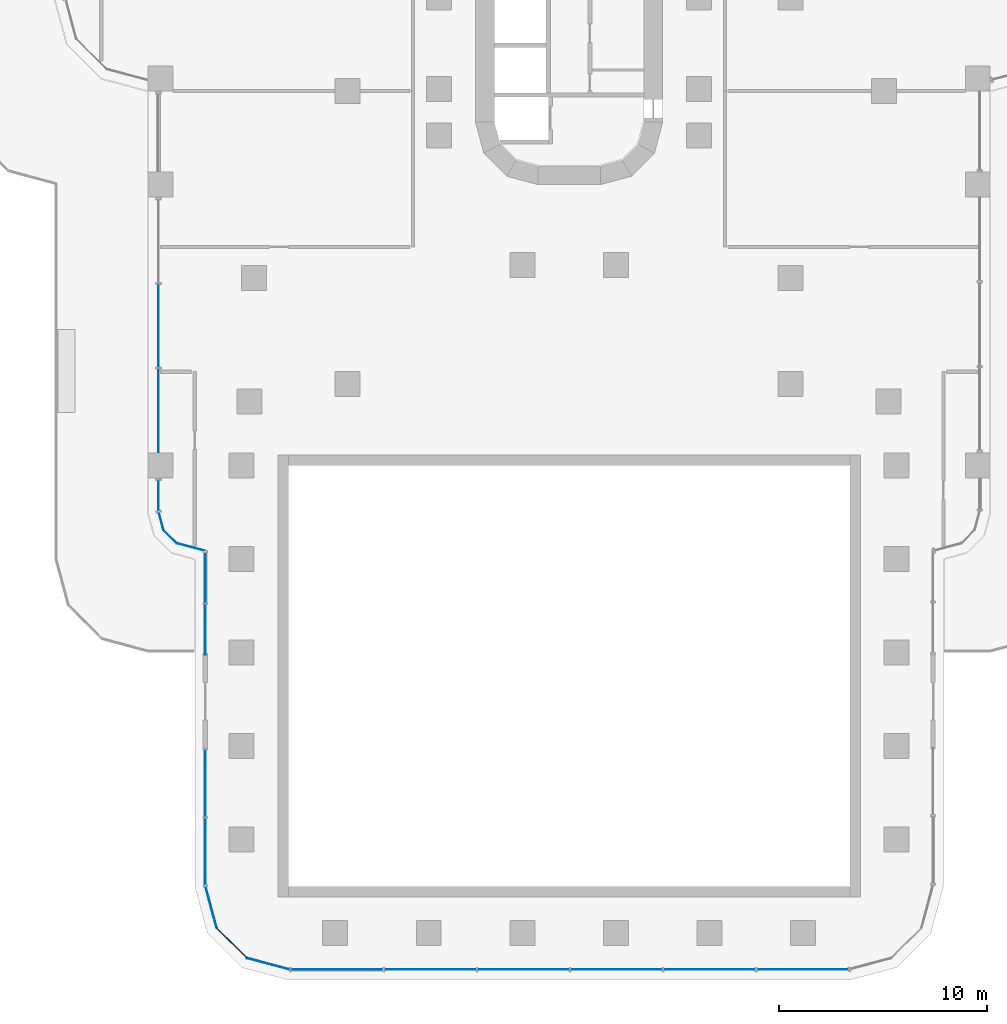
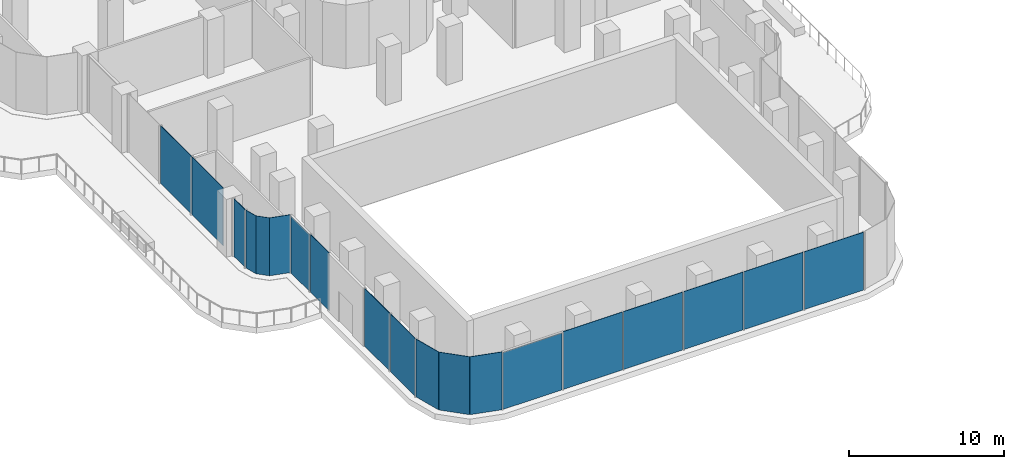
# One storey, part 10 of 29: 19 plates, 9 elements without a shape of their own.
"""IFC4 building model written with IfcOpenShell, lengths in metres."""

from ifc_helpers import new_model, si_unit, direction, frame, origin, place, context, subcontext, project, spatial, polyline, outline, extrude, source, transform, mapped, material, layer, layer_set, type_object, element, aggregate, save


model = new_model("IFC4")

# Units and contexts
model_context = context("Model", 3, precision=1e-05, world=origin(), true_north=direction((0.0, 1.0)))
body_context = subcontext(model_context, "Body", "Model", "MODEL_VIEW")
ifc_project = project(units=[si_unit("LENGTHUNIT", "METRE"), si_unit("AREAUNIT", "SQUARE_METRE"), si_unit("VOLUMEUNIT", "CUBIC_METRE"), si_unit("PLANEANGLEUNIT", "RADIAN"), si_unit("MASSUNIT", "GRAM", prefix="KILO")], contexts=[model_context])

# Site, building, storey
site_placement = place(None, origin())
site = spatial("IfcSite", under=ifc_project, at=site_placement, CompositionType="ELEMENT")
building_placement = place(site_placement, origin())
building = spatial("IfcBuilding", under=site, at=building_placement, Name="Zarbagh Exchange Tower", CompositionType="ELEMENT")
storey_placement = place(building_placement, frame((0.0, 0.0, 12.0)))
storey = spatial("IfcBuildingStorey", under=building, at=storey_placement, Name="L02", CompositionType="ELEMENT", Elevation=12.0)

# Curtain wall, plate
ifc_material_1 = material(Name="Anodised aluminium frame and glazing", Category="aluminium")
curtain_wall_type_1 = type_object("IfcCurtainWallType", Name="CWD Exchange hall wall glazing", PredefinedType="NOTDEFINED", material=ifc_material_1)
curtain_wall_1_placement = place(storey_placement, origin())
curtain_wall_1 = element("IfcCurtainWall", 1, at=curtain_wall_1_placement, inside=storey, type_object=curtain_wall_type_1, Name="CWD06 curtain wall", PredefinedType="NOTDEFINED")
ifc_material_2 = material(Name="Low-e double glazed unit, 6+12+6 mm")
ifc_layer_1 = layer(ifc_material_2, 0.035888671875)
ifc_layer_set_1 = layer_set([ifc_layer_1], Name="PAD Glazing panel, Low-e double glazed unit, 6+12+6 mm")
plate_type_1 = type_object("IfcPlateType", Name="PAD Glazing panel, Low-e double glazed unit, 6+12+6 mm", PredefinedType="CURTAIN_PANEL", material=ifc_layer_set_1)
shared_shape_1 = source(origin(), body_context, "Body", "SweptSolid", [
    extrude(outline(polyline([(0.0, -0.01806640625), (2.049560546875, -0.01806640625), (2.049560546875, 0.01806640625), (0.0, 0.01806640625), (0.0, -0.01806640625)])), origin(), (0.0, 0.0, 1.0), 4.550048828125),
])
placement = place(storey_placement, origin())
plate_1 = element("IfcPlate", 2, at=placement, type_object=plate_type_1, Name="CWD06 glazing panel 1.1", PredefinedType="CURTAIN_PANEL", context=body_context, shape_type="MappedRepresentation", body=[
    mapped(shared_shape_1, transform((-17.479248046875, -63.011474609375, 0.0), x_axis=(0.258824779902, -0.965924289636, 0.0), y_axis=(0.965924289636, 0.258824779902, 0.0), z_axis=(0.0, 0.0, 1.0))),
])
aggregate(curtain_wall_1, [plate_1])

curtain_wall_2_placement = place(storey_placement, origin())
curtain_wall_2 = element("IfcCurtainWall", 3, at=curtain_wall_2_placement, inside=storey, type_object=curtain_wall_type_1, Name="CWD07 curtain wall", PredefinedType="NOTDEFINED")
shared_shape_2 = source(origin(), body_context, "Body", "SweptSolid", [
    extrude(outline(polyline([(0.0, -0.01806640625), (2.061279296875, -0.01806640625), (2.061279296875, 0.01806640625), (0.0, 0.01806640625), (0.0, -0.01806640625)])), origin(), (0.0, 0.0, 1.0), 4.550048828125),
])
plate_2 = element("IfcPlate", 4, at=placement, type_object=plate_type_1, Name="CWD07 glazing panel 1.1", PredefinedType="CURTAIN_PANEL", context=body_context, shape_type="MappedRepresentation", body=[
    mapped(shared_shape_2, transform((-16.94873046875, -64.9912109375, 0.0), x_axis=(0.707106781187, -0.707106781187, 0.0), y_axis=(0.707106781187, 0.707106781187, 0.0), z_axis=(0.0, 0.0, 1.0))),
])
aggregate(curtain_wall_2, [plate_2])

curtain_wall_3_placement = place(storey_placement, origin())
curtain_wall_3 = element("IfcCurtainWall", 5, at=curtain_wall_3_placement, inside=storey, type_object=curtain_wall_type_1, Name="CWD08 curtain wall", PredefinedType="NOTDEFINED")
shared_shape_3 = source(origin(), body_context, "Body", "SweptSolid", [
    extrude(outline(polyline([(0.0, -0.01806640625), (2.129638671875, -0.01806640625), (2.129638671875, 0.01806640625), (0.0, 0.01806640625), (0.0, -0.01806640625)])), origin(), (0.0, 0.0, 1.0), 4.550048828125),
])
plate_3 = element("IfcPlate", 6, at=placement, type_object=plate_type_1, Name="CWD08 glazing panel 1.1", PredefinedType="CURTAIN_PANEL", context=body_context, shape_type="MappedRepresentation", body=[
    mapped(shared_shape_3, transform((-15.4912109375, -66.44873046875, 0.0), x_axis=(0.965924289636, -0.258824779902, 0.0), y_axis=(0.258824779902, 0.965924289636, 0.0), z_axis=(0.0, 0.0, 1.0))),
])
aggregate(curtain_wall_3, [plate_3])

# Curtain wall, plates
curtain_wall_type_2 = type_object("IfcCurtainWallType", Name="CWC Podium garden-wall glazing", PredefinedType="NOTDEFINED", material=ifc_material_1)
curtain_wall_4_placement = place(storey_placement, origin())
curtain_wall_4 = element("IfcCurtainWall", 7, at=curtain_wall_4_placement, inside=storey, type_object=curtain_wall_type_2, Name="CWC142 curtain wall", PredefinedType="NOTDEFINED")
ifc_layer_2 = layer(ifc_material_2, 0.031982421875)
ifc_layer_set_2 = layer_set([ifc_layer_2], Name="PAC Glazing panel, Low-e double glazed unit, 6+12+6 mm")
plate_type_2 = type_object("IfcPlateType", Name="PAC Glazing panel, Low-e double glazed unit, 6+12+6 mm", PredefinedType="CURTAIN_PANEL", material=ifc_layer_set_2)
shared_shape_4 = source(origin(), body_context, "Body", "SweptSolid", [
    extrude(outline(polyline([(0.0, -0.01611328125), (3.993408203125, -0.01611328125), (3.993408203125, 0.01611328125), (0.0, 0.01611328125), (0.0, -0.01611328125)])), origin(), (0.0, 0.0, 1.0), 4.550048828125),
])
plate_4 = element("IfcPlate", 8, at=placement, type_object=plate_type_2, Name="CWC142 glazing panel 2.2", PredefinedType="CURTAIN_PANEL", context=body_context, shape_type="MappedRepresentation", body=[
    mapped(shared_shape_4, transform((-19.75, -34.04345703125, 0.0), x_axis=(0.0, -1.0, 0.0), y_axis=(1.0, 0.0, 0.0), z_axis=(0.0, 0.0, 1.0))),
])
plate_5 = element("IfcPlate", 9, at=placement, type_object=plate_type_2, Name="CWC142 glazing panel 2.3", PredefinedType="CURTAIN_PANEL", context=body_context, shape_type="MappedRepresentation", body=[
    mapped(shared_shape_4, transform((-19.75, -38.11669921875, 0.0), x_axis=(0.0, -1.0, 0.0), y_axis=(1.0, 0.0, 0.0), z_axis=(0.0, 0.0, 1.0))),
])

curtain_wall_5_placement = place(storey_placement, origin())
curtain_wall_5 = element("IfcCurtainWall", 10, at=curtain_wall_5_placement, inside=storey, type_object=curtain_wall_type_1, Name="CWD09 curtain wall", PredefinedType="NOTDEFINED")
shared_shape_5 = source(origin(), body_context, "Body", "SweptSolid", [
    extrude(outline(polyline([(0.0, -0.01806640625), (4.39794921875, -0.01806640625), (4.39794921875, 0.01806640625), (0.0, 0.01806640625), (0.0, -0.01806640625)])), origin(), (0.0, 0.0, 1.0), 4.469970703125),
])
plate_6 = element("IfcPlate", 11, at=placement, type_object=plate_type_1, Name="CWD09 glazing panel 1.1", PredefinedType="CURTAIN_PANEL", context=body_context, shape_type="MappedRepresentation", body=[
    mapped(shared_shape_5, transform((-13.354248046875, -67.0, 0.0), x_axis=(1.0, 0.0, 0.0), y_axis=(0.0, 1.0, 0.0), z_axis=(0.0, 0.0, 1.0))),
])
shared_shape_6 = source(origin(), body_context, "Body", "SweptSolid", [
    extrude(outline(polyline([(0.0, -0.01806640625), (4.39794921875, -0.01806640625), (4.39794921875, 0.01806640625), (0.0, 0.01806640625), (0.0, -0.01806640625)])), origin(), (0.0, 0.0, 1.0), 4.550048828125),
])
plate_7 = element("IfcPlate", 12, at=placement, type_object=plate_type_1, Name="CWD09 glazing panel 1.2", PredefinedType="CURTAIN_PANEL", context=body_context, shape_type="MappedRepresentation", body=[
    mapped(shared_shape_6, transform((-8.876220703125, -67.0, 0.0), x_axis=(1.0, 0.0, 0.0), y_axis=(0.0, 1.0, 0.0), z_axis=(0.0, 0.0, 1.0))),
])
plate_8 = element("IfcPlate", 13, at=placement, type_object=plate_type_1, Name="CWD09 glazing panel 1.3", PredefinedType="CURTAIN_PANEL", context=body_context, shape_type="MappedRepresentation", body=[
    mapped(shared_shape_6, transform((-4.398193359375, -67.0, 0.0), x_axis=(1.0, 0.0, 0.0), y_axis=(0.0, 1.0, 0.0), z_axis=(0.0, 0.0, 1.0))),
])
plate_9 = element("IfcPlate", 14, at=placement, type_object=plate_type_1, Name="CWD09 glazing panel 1.4", PredefinedType="CURTAIN_PANEL", context=body_context, shape_type="MappedRepresentation", body=[
    mapped(shared_shape_6, transform((0.080078125, -67.0, 0.0), x_axis=(1.0, 0.0, 0.0), y_axis=(0.0, 1.0, 0.0), z_axis=(0.0, 0.0, 1.0))),
])
plate_10 = element("IfcPlate", 15, at=placement, type_object=plate_type_1, Name="CWD09 glazing panel 1.5", PredefinedType="CURTAIN_PANEL", context=body_context, shape_type="MappedRepresentation", body=[
    mapped(shared_shape_6, transform((4.55810546875, -67.0, 0.0), x_axis=(1.0, 0.0, 0.0), y_axis=(0.0, 1.0, 0.0), z_axis=(0.0, 0.0, 1.0))),
])
plate_11 = element("IfcPlate", 16, at=placement, type_object=plate_type_1, Name="CWD09 glazing panel 1.6", PredefinedType="CURTAIN_PANEL", context=body_context, shape_type="MappedRepresentation", body=[
    mapped(shared_shape_6, transform((9.0361328125, -67.0, 0.0), x_axis=(1.0, 0.0, 0.0), y_axis=(0.0, 1.0, 0.0), z_axis=(0.0, 0.0, 1.0))),
])
aggregate(curtain_wall_5, [plate_6, plate_7, plate_8, plate_9, plate_10, plate_11])

curtain_wall_6_placement = place(storey_placement, origin())
curtain_wall_6 = element("IfcCurtainWall", 17, at=curtain_wall_6_placement, inside=storey, type_object=curtain_wall_type_1, Name="CWD13 curtain wall", PredefinedType="NOTDEFINED")
shared_shape_7 = source(origin(), body_context, "Body", "SweptSolid", [
    extrude(outline(polyline([(0.0, -0.01806640625), (3.2119140625, -0.01806640625), (3.2119140625, 0.01806640625), (0.0, 0.01806640625), (0.0, -0.01806640625)])), origin(), (0.0, 0.0, 1.0), 4.550048828125),
])
plate_12 = element("IfcPlate", 18, at=placement, type_object=plate_type_1, Name="CWD13 glazing panel 2.1", PredefinedType="CURTAIN_PANEL", context=body_context, shape_type="MappedRepresentation", body=[
    mapped(shared_shape_7, transform((-17.5, -56.43017578125, 0.0), x_axis=(0.0, -1.0, 0.0), y_axis=(1.0, 0.0, 0.0), z_axis=(0.0, 0.0, 1.0))),
])
plate_13 = element("IfcPlate", 19, at=placement, type_object=plate_type_1, Name="CWD13 glazing panel 2.2", PredefinedType="CURTAIN_PANEL", context=body_context, shape_type="MappedRepresentation", body=[
    mapped(shared_shape_7, transform((-17.5, -59.72216796875, 0.0), x_axis=(0.0, -1.0, 0.0), y_axis=(1.0, 0.0, 0.0), z_axis=(0.0, 0.0, 1.0))),
])
shared_shape_8 = source(origin(), body_context, "Body", "SweptSolid", [
    extrude(outline(polyline([(0.0, -0.01806640625), (2.411865234375, -0.01806640625), (2.411865234375, 0.01806640625), (0.0, 0.01806640625), (0.0, -0.01806640625)])), origin(), (0.0, 0.0, 1.0), 4.550048828125),
])
plate_14 = element("IfcPlate", 20, at=placement, type_object=plate_type_1, Name="CWD13 glazing panel 1.2", PredefinedType="CURTAIN_PANEL", context=body_context, shape_type="MappedRepresentation", body=[
    mapped(shared_shape_8, transform((-17.5, -49.438232421875, 0.0), x_axis=(0.0, -1.0, 0.0), y_axis=(1.0, 0.0, 0.0), z_axis=(0.0, 0.0, 1.0))),
])

# Curtain wall, plate
curtain_wall_7_placement = place(storey_placement, origin())
curtain_wall_7 = element("IfcCurtainWall", 21, at=curtain_wall_7_placement, inside=storey, type_object=curtain_wall_type_2, Name="CWC144 curtain wall", PredefinedType="NOTDEFINED")
shared_shape_9 = source(origin(), body_context, "Body", "SweptSolid", [
    extrude(outline(polyline([(0.0, -0.01611328125), (0.896728515625, -0.01611328125), (0.896728515625, 0.01611328125), (0.0, 0.01611328125), (0.0, -0.01611328125)])), origin(), (0.0, 0.0, 1.0), 4.550048828125),
])
plate_15 = element("IfcPlate", 22, at=placement, type_object=plate_type_2, Name="CWC144 glazing panel 1.1", PredefinedType="CURTAIN_PANEL", context=body_context, shape_type="MappedRepresentation", body=[
    mapped(shared_shape_9, transform((-19.500244140625, -45.8662109375, 0.0), x_axis=(0.707106781187, -0.707106781187, 0.0), y_axis=(0.707106781187, 0.707106781187, 0.0), z_axis=(0.0, 0.0, 1.0))),
])
aggregate(curtain_wall_7, [plate_15])

# Plate
shared_shape_10 = source(origin(), body_context, "Body", "SweptSolid", [
    extrude(outline(polyline([(0.0, -0.01611328125), (1.464111328125, -0.01611328125), (1.464111328125, 0.01611328125), (0.0, 0.01611328125), (0.0, -0.01611328125)])), origin(), (0.0, 0.0, 1.0), 4.550048828125),
])
plate_16 = element("IfcPlate", 23, at=placement, type_object=plate_type_2, Name="CWC142 glazing panel 3.1", PredefinedType="CURTAIN_PANEL", context=body_context, shape_type="MappedRepresentation", body=[
    mapped(shared_shape_10, transform((-19.75, -43.469970703125, 0.0), x_axis=(0.0, -1.0, 0.0), y_axis=(1.0, 0.0, 0.0), z_axis=(0.0, 0.0, 1.0))),
])

aggregate(curtain_wall_4, [plate_4, plate_5, plate_16])

# Curtain wall, plate
curtain_wall_8_placement = place(storey_placement, origin())
curtain_wall_8 = element("IfcCurtainWall", 24, at=curtain_wall_8_placement, inside=storey, type_object=curtain_wall_type_2, Name="CWC143 curtain wall", PredefinedType="NOTDEFINED")
shared_shape_11 = source(origin(), body_context, "Body", "SweptSolid", [
    extrude(outline(polyline([(0.0, -0.01611328125), (0.885009765625, -0.01611328125), (0.885009765625, 0.01611328125), (0.0, 0.01611328125), (0.0, -0.01611328125)])), origin(), (0.0, 0.0, 1.0), 4.550048828125),
])
plate_17 = element("IfcPlate", 25, at=placement, type_object=plate_type_2, Name="CWC143 glazing panel 1.1", PredefinedType="CURTAIN_PANEL", context=body_context, shape_type="MappedRepresentation", body=[
    mapped(shared_shape_11, transform((-19.729248046875, -45.011474609375, 0.0), x_axis=(0.25878472492, -0.965935021701, 0.0), y_axis=(0.965935021701, 0.25878472492, 0.0), z_axis=(0.0, 0.0, 1.0))),
])
aggregate(curtain_wall_8, [plate_17])

curtain_wall_9_placement = place(storey_placement, origin())
curtain_wall_9 = element("IfcCurtainWall", 26, at=curtain_wall_9_placement, inside=storey, type_object=curtain_wall_type_2, Name="CWC145 curtain wall", PredefinedType="NOTDEFINED")
shared_shape_12 = source(origin(), body_context, "Body", "SweptSolid", [
    extrude(outline(polyline([(0.0, -0.01611328125), (1.414306640625, -0.01611328125), (1.414306640625, 0.01611328125), (0.0, 0.01611328125), (0.0, -0.01611328125)])), origin(), (0.0, 0.0, 1.0), 4.550048828125),
])
plate_18 = element("IfcPlate", 27, at=placement, type_object=plate_type_2, Name="CWC145 glazing panel 1.1", PredefinedType="CURTAIN_PANEL", context=body_context, shape_type="MappedRepresentation", body=[
    mapped(shared_shape_12, transform((-18.8662109375, -46.500244140625, 0.0), x_axis=(0.965935021701, -0.25878472492, 0.0), y_axis=(0.25878472492, 0.965935021701, 0.0), z_axis=(0.0, 0.0, 1.0))),
])
aggregate(curtain_wall_9, [plate_18])

# Plate
shared_shape_13 = source(origin(), body_context, "Body", "SweptSolid", [
    extrude(outline(polyline([(0.0, -0.01806640625), (2.411865234375, -0.01806640625), (2.411865234375, 0.01806640625), (0.0, 0.01806640625), (0.0, -0.01806640625)])), origin(), (0.0, 0.0, 1.0), 4.469970703125),
])
plate_19 = element("IfcPlate", 28, at=placement, type_object=plate_type_1, Name="CWD13 glazing panel 1.1", PredefinedType="CURTAIN_PANEL", context=body_context, shape_type="MappedRepresentation", body=[
    mapped(shared_shape_13, transform((-17.5, -46.9462890625, 0.0), x_axis=(0.0, -1.0, 0.0), y_axis=(1.0, 0.0, 0.0), z_axis=(0.0, 0.0, 1.0))),
])

aggregate(curtain_wall_6, [plate_19, plate_14, plate_12, plate_13])

save(model, "model.ifc")
